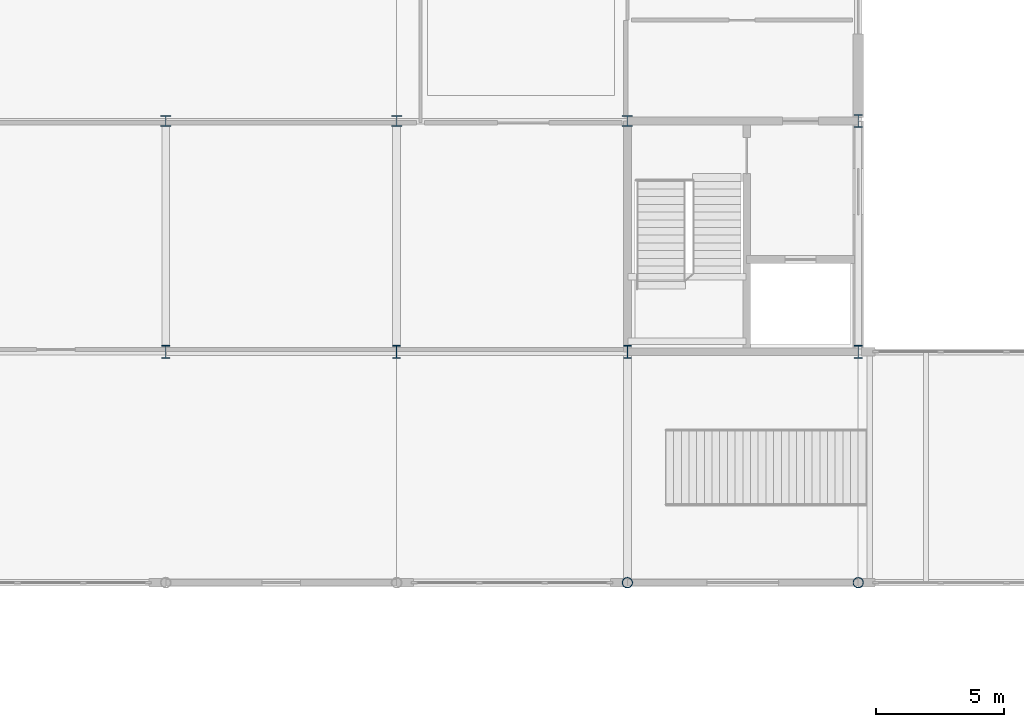
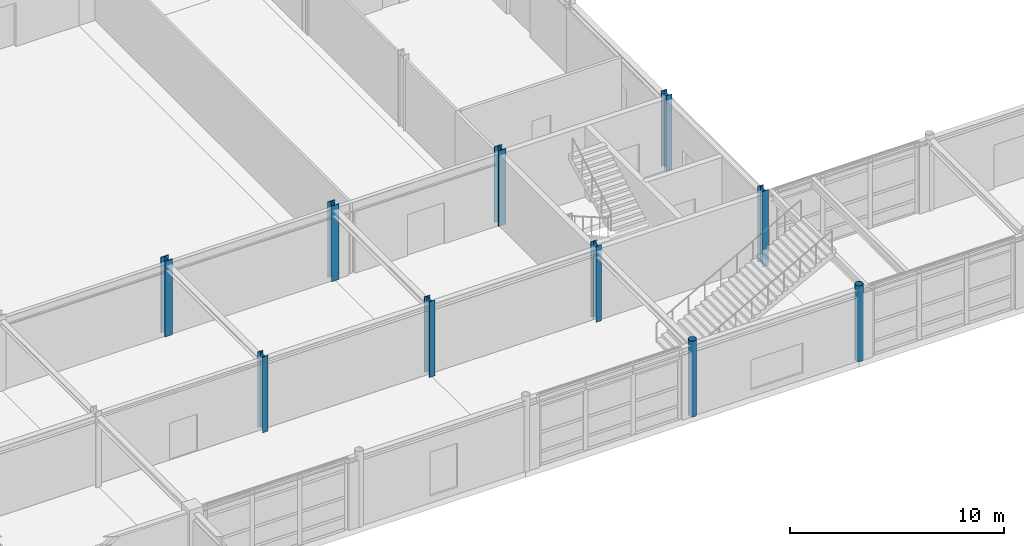
# One storey, part 9 of 72: 10 columns.
"""IFC4 building model written with IfcOpenShell, lengths in metres."""

from ifc_helpers import new_model, si_unit, direction, frame, origin, origin_2d, place, context, subcontext, project, spatial, hollow_circle, i_section, extrude, material, material_profile, profile_set, type_object, element, save


model = new_model("IFC4")

# Units and contexts
model_context = context("Model", 3, precision=1e-05, world=origin(), true_north=direction((0.0, 1.0)))
body_context = subcontext(model_context, "Body", "Model", "MODEL_VIEW")
ifc_project = project(units=[si_unit("LENGTHUNIT", "METRE"), si_unit("AREAUNIT", "SQUARE_METRE"), si_unit("VOLUMEUNIT", "CUBIC_METRE"), si_unit("PLANEANGLEUNIT", "RADIAN"), si_unit("MASSUNIT", "GRAM", prefix="KILO")], contexts=[model_context])

# Site, building, storey
site_placement = place(None, origin())
site = spatial("IfcSite", under=ifc_project, at=site_placement, CompositionType="ELEMENT")
building_placement = place(site_placement, origin())
building = spatial("IfcBuilding", under=site, at=building_placement, Name="Palais des Congres Ocreval", CompositionType="ELEMENT")
storey_placement = place(building_placement, origin())
storey = spatial("IfcBuildingStorey", under=building, at=storey_placement, Name="L00", CompositionType="ELEMENT", Elevation=0.0)

# Columns
ifc_material = material(Name="Steel S355", Category="steel")
ifc_material_profile_1 = material_profile(ifc_material, hollow_circle(Radius=0.203125, WallThickness=0.01611328125, at=origin_2d()), Name="CHS 406.4x16")
ifc_profile_set_1 = profile_set([ifc_material_profile_1], Name="Steel S355")
column_type_1 = type_object("IfcColumnType", Name="Column CHS 406.4x16 Steel S355", PredefinedType="COLUMN", material=ifc_profile_set_1)
for number, where, z_axis, x_axis, name in (
    (1, (45.0, 72.0, 0.0), (0.0, 0.0, 1.0), (1.0, 0.0, 0.0), "Column C15 L00"),
    (2, (54.0, 72.0, 0.0), (0.0, 0.0, 1.0), (1.0, 0.0, 0.0), "Column C15 L00"),
):
    element("IfcColumn", number, at=place(storey_placement, frame(where, z_axis=z_axis, x_axis=x_axis)), inside=storey, type_object=column_type_1, Name=name, PredefinedType="COLUMN", context=body_context, shape_type="SweptSolid", body=[
        extrude(hollow_circle(Radius=0.203125, WallThickness=0.01611328125, at=origin_2d()), origin(), (0.0, 0.0, 1.0), 4.320068359375),
    ])
ifc_material_profile_2 = material_profile(ifc_material, i_section(OverallWidth=0.406005859375, OverallDepth=0.416015625, WebThickness=0.0224609375, FlangeThickness=0.0380859375, at=origin_2d()), Name="HD 400x382")
ifc_profile_set_2 = profile_set([ifc_material_profile_2], Name="Steel S355")
column_type_2 = type_object("IfcColumnType", Name="Column HD 400x382 Steel S355", PredefinedType="COLUMN", material=ifc_profile_set_2)
for number, where, z_axis, x_axis, name in (
    (3, (27.0, 90.0, 0.0), (0.0, 0.0, 1.0), (1.0, 0.0, 0.0), "Column C03 L00"),
    (4, (36.0, 90.0, 0.0), (0.0, 0.0, 1.0), (1.0, 0.0, 0.0), "Column C03 L00"),
    (5, (45.0, 90.0, 0.0), (0.0, 0.0, 1.0), (1.0, 0.0, 0.0), "Column C03 L00"),
):
    element("IfcColumn", number, at=place(storey_placement, frame(where, z_axis=z_axis, x_axis=x_axis)), inside=storey, type_object=column_type_2, Name=name, PredefinedType="COLUMN", context=body_context, shape_type="SweptSolid", body=[
        extrude(i_section(OverallWidth=0.406005859375, OverallDepth=0.416015625, WebThickness=0.0224609375, FlangeThickness=0.0380859375, at=origin_2d()), origin(), (0.0, 0.0, 1.0), 4.320068359375),
    ])
ifc_material_profile_3 = material_profile(ifc_material, i_section(OverallWidth=0.300048828125, OverallDepth=0.5, WebThickness=0.014404296875, FlangeThickness=0.028076171875, at=origin_2d()), Name="HEB 500")
ifc_profile_set_3 = profile_set([ifc_material_profile_3], Name="Steel S355")
column_type_3 = type_object("IfcColumnType", Name="Column HEB 500 Steel S355", PredefinedType="COLUMN", material=ifc_profile_set_3)
for number, where, z_axis, x_axis, name in (
    (6, (27.0, 81.0, 0.0), (0.0, 0.0, 1.0), (1.0, 0.0, 0.0), "Column C08 L00"),
    (7, (36.0, 81.0, 0.0), (0.0, 0.0, 1.0), (1.0, 0.0, 0.0), "Column C08 L00"),
    (8, (45.0, 81.0, 0.0), (0.0, 0.0, 1.0), (1.0, 0.0, 0.0), "Column C08 L00"),
    (9, (54.0, 81.0, 0.0), (0.0, 0.0, 1.0), (1.0, 0.0, 0.0), "Column C08 L00"),
    (10, (54.0, 90.0, 0.0), (0.0, 0.0, 1.0), (1.0, 0.0, 0.0), "Column C08 L00"),
):
    element("IfcColumn", number, at=place(storey_placement, frame(where, z_axis=z_axis, x_axis=x_axis)), inside=storey, type_object=column_type_3, Name=name, PredefinedType="COLUMN", context=body_context, shape_type="SweptSolid", body=[
        extrude(i_section(OverallWidth=0.300048828125, OverallDepth=0.5, WebThickness=0.014404296875, FlangeThickness=0.028076171875, at=origin_2d()), origin(), (0.0, 0.0, 1.0), 4.320068359375),
    ])

save(model, "model.ifc")
